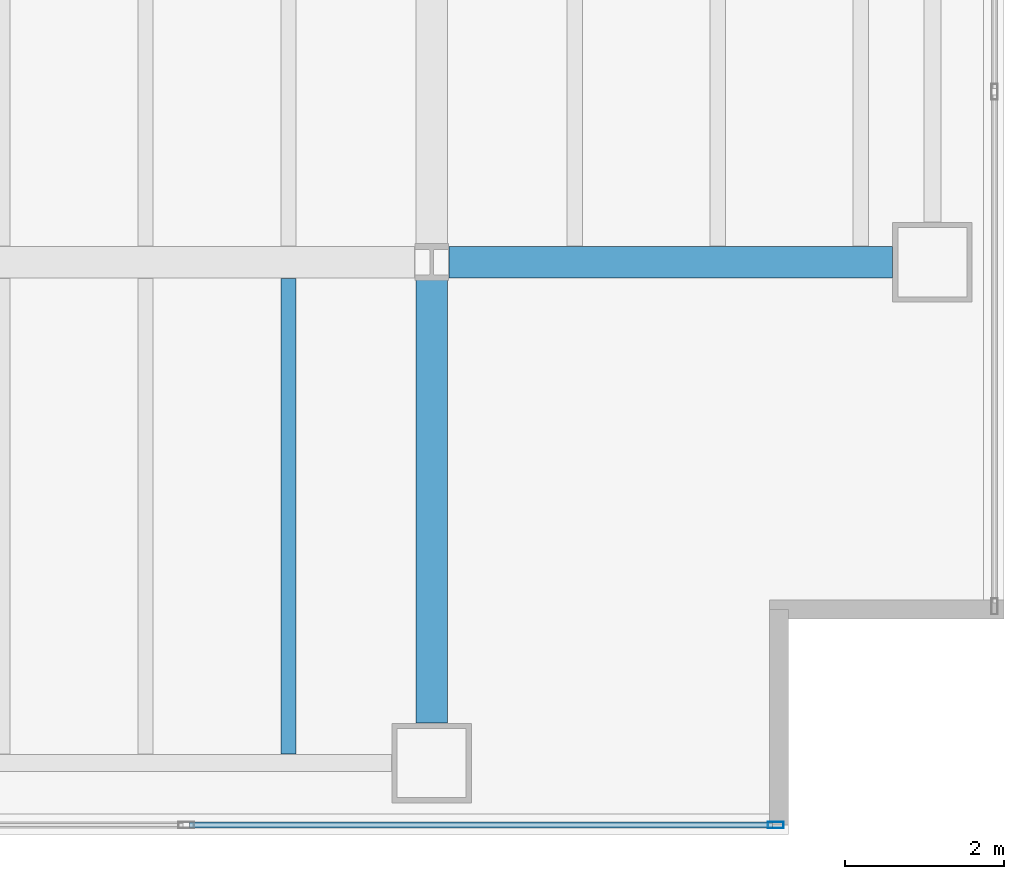
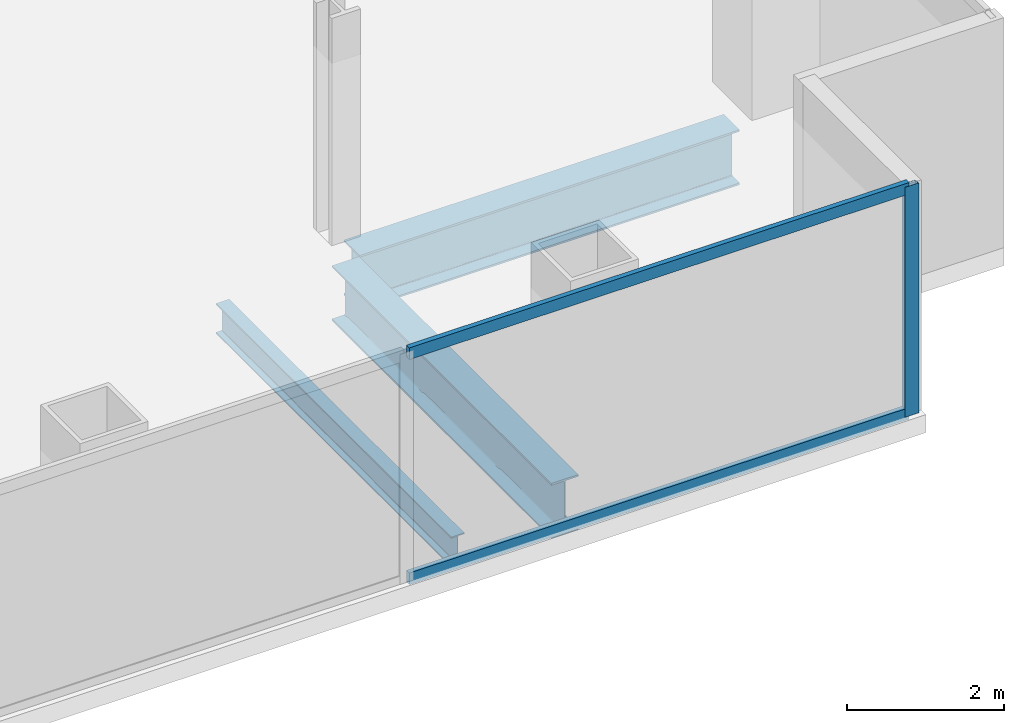
# One storey, part 8 of 25: 3 beams, 3 members, 1 element without a shape of its own.
"""IFC4 building model written with IfcOpenShell, lengths in metres."""

from ifc_helpers import new_model, si_unit, direction, frame, origin, origin_2d, place, context, subcontext, project, spatial, hollow_rectangle, i_section, extrude, material, material_profile, profile_set, type_object, element, aggregate, save


model = new_model("IFC4")

# Units and contexts
model_context = context("Model", 3, precision=1e-05, world=origin(), true_north=direction((0.0, 1.0)))
body_context = subcontext(model_context, "Body", "Model", "MODEL_VIEW")
ifc_project = project(units=[si_unit("LENGTHUNIT", "METRE"), si_unit("AREAUNIT", "SQUARE_METRE"), si_unit("VOLUMEUNIT", "CUBIC_METRE"), si_unit("PLANEANGLEUNIT", "RADIAN"), si_unit("MASSUNIT", "GRAM", prefix="KILO")], contexts=[model_context])

# Site, building, storey
site_placement = place(None, origin())
site = spatial("IfcSite", under=ifc_project, at=site_placement, CompositionType="ELEMENT")
building_placement = place(site_placement, origin())
building = spatial("IfcBuilding", under=site, at=building_placement, Name="Cobrela Telecom Tower", CompositionType="ELEMENT")
storey_placement = place(building_placement, frame((0.0, 0.0, 61.949951171875)))
storey = spatial("IfcBuildingStorey", under=building, at=storey_placement, Name="L15", CompositionType="ELEMENT", Elevation=61.949951171875)

# Beams
ifc_material_1 = material(Name="Steel ASTM A992 Grade 50", Category="steel")
ifc_material_profile_1 = material_profile(ifc_material_1, i_section(OverallWidth=0.39892578125, OverallDepth=0.85595703125, WebThickness=0.018310546875, FlangeThickness=0.029296875, FilletRadius=0.02001953125, at=origin_2d()), Name="W33X201")
ifc_profile_set_1 = profile_set([ifc_material_profile_1], Name="Steel ASTM A992 Grade 50")
beam_type_1 = type_object("IfcBeamType", Name="BM-GIRD-03", PredefinedType="USERDEFINED", material=ifc_profile_set_1)
beam_1_placement = place(storey_placement, frame((43.416015625, 7.199951171875, -0.7080078125), z_axis=(1.0, 0.0, 0.0), x_axis=(0.0, 1.0, 0.0)))
element("IfcBeam", 1, at=beam_1_placement, inside=storey, type_object=beam_type_1, Name="L15 Primary Girder X12", ObjectType="GIRDER", PredefinedType="USERDEFINED", context=body_context, shape_type="SweptSolid", body=[
    extrude(i_section(OverallWidth=0.39892578125, OverallDepth=0.85595703125, WebThickness=0.018310546875, FlangeThickness=0.029296875, FilletRadius=0.02001953125, at=origin_2d()), origin(), (0.0, 0.0, 1.0), 5.5791015625),
])
beam_2_placement = place(storey_placement, frame((43.199951171875, 1.405029296875, -0.7080078125), z_axis=(0.0, 1.0, 0.0), x_axis=(-1.0, 0.0, 0.0)))
element("IfcBeam", 2, at=beam_2_placement, inside=storey, type_object=beam_type_1, Name="L15 Primary Girder Y53", ObjectType="GIRDER", PredefinedType="USERDEFINED", context=body_context, shape_type="SweptSolid", body=[
    extrude(i_section(OverallWidth=0.39892578125, OverallDepth=0.85595703125, WebThickness=0.018310546875, FlangeThickness=0.029296875, FilletRadius=0.02001953125, at=origin_2d()), origin(), (0.0, 0.0, 1.0), 5.578857421875),
])
ifc_material_profile_2 = material_profile(ifc_material_1, i_section(OverallWidth=0.193115234375, OverallDepth=0.467041015625, WebThickness=0.011474609375, FlangeThickness=0.01904296875, FilletRadius=0.012939453125, at=origin_2d()), Name="W18X65")
ifc_profile_set_2 = profile_set([ifc_material_profile_2], Name="Steel ASTM A992 Grade 50")
beam_type_2 = type_object("IfcBeamType", Name="BM-JOIST-03", PredefinedType="JOIST", material=ifc_profile_set_2)
beam_3_placement = place(storey_placement, frame((41.39990234375, 1.011474609375, -0.513427734375), z_axis=(0.0, 1.0, 0.0), x_axis=(-1.0, 0.0, 0.0)))
element("IfcBeam", 3, at=beam_3_placement, inside=storey, type_object=beam_type_2, Name="L15 Secondary Composite Floor Beam J56", PredefinedType="JOIST", context=body_context, shape_type="SweptSolid", body=[
    extrude(i_section(OverallWidth=0.193115234375, OverallDepth=0.467041015625, WebThickness=0.011474609375, FlangeThickness=0.01904296875, FilletRadius=0.012939453125, at=origin_2d()), origin(), (0.0, 0.0, 1.0), 5.984130859375),
])

# Curtain wall, members
ifc_material_2 = material(Name="Anodized Bronze Aluminium 6063-T6", Category="aluminium")
curtain_wall_type = type_object("IfcCurtainWallType", Name="CW-SYS-DATA", PredefinedType="USERDEFINED", material=ifc_material_2)
curtain_wall_placement = place(storey_placement, origin())
curtain_wall = element("IfcCurtainWall", 4, at=curtain_wall_placement, inside=storey, type_object=curtain_wall_type, Name="L15 Unitised Bronze Curtain Wall 17", ObjectType="UNITISED CURTAIN WALL", PredefinedType="USERDEFINED")
ifc_material_profile_3 = material_profile(ifc_material_2, hollow_rectangle(XDim=0.080078125, YDim=0.199951171875, WallThickness=0.00390625, at=origin_2d()), Name="ALU 80x200x4")
ifc_profile_set_3 = profile_set([ifc_material_profile_3], Name="Anodized Bronze Aluminium 6063-T6")
member_type_1 = type_object("IfcMemberType", Name="CW-SYS-DATA-MUL", PredefinedType="MULLION", material=ifc_profile_set_3)
member_1_placement = place(storey_placement, frame((47.530029296875, 0.1201171875, 0.0), z_axis=(0.0, 0.0, 1.0), x_axis=(0.0, -1.0, 0.0)))
member_1 = element("IfcMember", 5, at=member_1_placement, type_object=member_type_1, Name="CW-DATA mullion 1", PredefinedType="MULLION", context=body_context, shape_type="SweptSolid", body=[
    extrude(hollow_rectangle(XDim=0.080078125, YDim=0.199951171875, WallThickness=0.00390625, at=origin_2d()), origin(), (0.0, 0.0, 1.0), 3.570068359375),
])
ifc_material_profile_4 = material_profile(ifc_material_2, hollow_rectangle(XDim=0.074951171875, YDim=0.179931640625, WallThickness=0.00390625, at=origin_2d()), Name="ALU 75x180x4")
ifc_profile_set_4 = profile_set([ifc_material_profile_4], Name="Anodized Bronze Aluminium 6063-T6")
member_type_2 = type_object("IfcMemberType", Name="CW-SYS-DATA-TRN", PredefinedType="USERDEFINED", material=ifc_profile_set_4)
member_2_placement = place(storey_placement, frame((47.489990234375, 0.1201171875, 0.03759765625), z_axis=(-1.0, 0.0, 0.0), x_axis=(0.0, -1.0, 0.0)))
member_2 = element("IfcMember", 6, at=member_2_placement, type_object=member_type_2, Name="CW-DATA transom 1.1", ObjectType="TRANSOM", PredefinedType="USERDEFINED", context=body_context, shape_type="SweptSolid", body=[
    extrude(hollow_rectangle(XDim=0.074951171875, YDim=0.179931640625, WallThickness=0.00390625, at=origin_2d()), origin(), (0.0, 0.0, 1.0), 7.336669921875),
])
member_3_placement = place(storey_placement, frame((47.489990234375, 0.1201171875, 3.532470703125), z_axis=(-1.0, 0.0, 0.0), x_axis=(0.0, -1.0, 0.0)))
member_3 = element("IfcMember", 7, at=member_3_placement, type_object=member_type_2, Name="CW-DATA transom 1.2", ObjectType="TRANSOM", PredefinedType="USERDEFINED", context=body_context, shape_type="SweptSolid", body=[
    extrude(hollow_rectangle(XDim=0.074951171875, YDim=0.179931640625, WallThickness=0.00390625, at=origin_2d()), origin(), (0.0, 0.0, 1.0), 7.336669921875),
])
aggregate(curtain_wall, [member_1, member_2, member_3])

save(model, "model.ifc")
